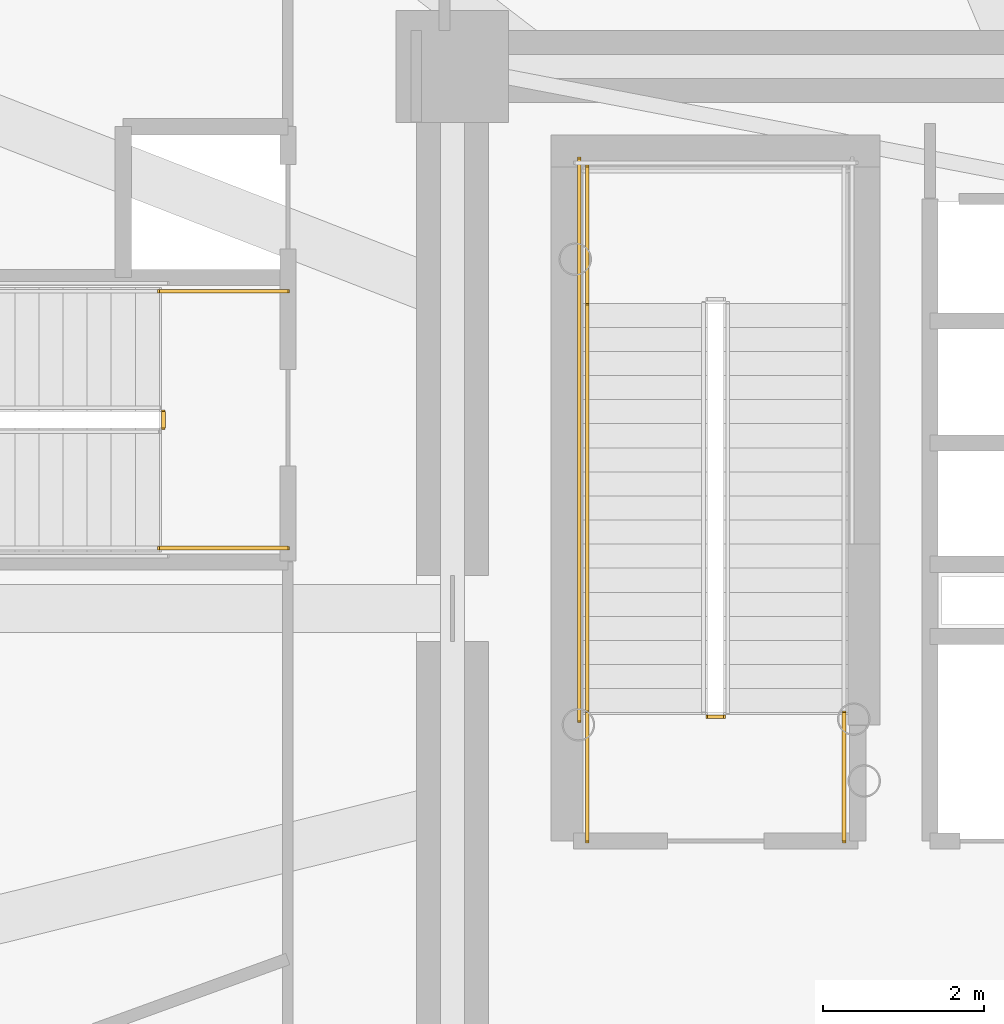
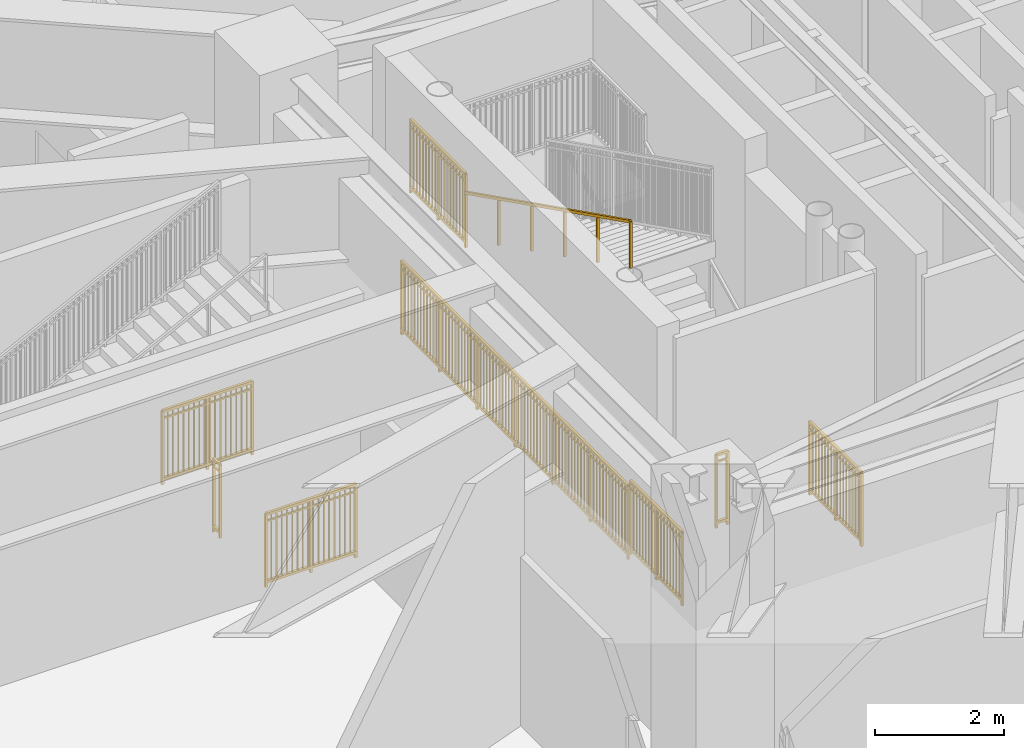
# One storey, part 30 of 39: 9 railings.
"""IFC4 building model written with IfcOpenShell, lengths in metres."""

from ifc_helpers import new_model, si_unit, direction, frame, origin, origin_2d, place, context, subcontext, project, spatial, rectangle, extrude, source, transform, mapped, material, type_object, element, save


model = new_model("IFC4")

# Units and contexts
model_context = context("Model", 3, precision=1e-05, world=origin(), true_north=direction((0.0, 1.0)))
body_context = subcontext(model_context, "Body", "Model", "MODEL_VIEW")
ifc_project = project(units=[si_unit("LENGTHUNIT", "METRE"), si_unit("AREAUNIT", "SQUARE_METRE"), si_unit("VOLUMEUNIT", "CUBIC_METRE"), si_unit("PLANEANGLEUNIT", "RADIAN"), si_unit("MASSUNIT", "GRAM", prefix="KILO")], contexts=[model_context])

# Site, building, storey
site_placement = place(None, origin())
site = spatial("IfcSite", under=ifc_project, at=site_placement, CompositionType="ELEMENT")
building_placement = place(site_placement, origin())
building = spatial("IfcBuilding", under=site, at=building_placement, Name="Linh Dai School and Residence Tower", CompositionType="ELEMENT")
storey_placement = place(building_placement, frame((0.0, 0.0, 27.0)))
storey = spatial("IfcBuildingStorey", under=building, at=storey_placement, Name="L06", CompositionType="ELEMENT", Elevation=27.0)

# Railings
ifc_material_1 = material(Name="Structural Steel S355JR", Category="steel")
railing_type_1 = type_object("IfcRailingType", Name="RL-ST-GUARD-1400", PredefinedType="GUARDRAIL", material=ifc_material_1)
shared_shape_1 = source(origin(), body_context, "Body", "SweptSolid", [
    extrude(rectangle(XDim=0.048095703125, YDim=0.048095703125, at=origin_2d()), frame((0.0, 0.0, 1.3759765625), z_axis=(-1.0, 0.0, 0.0), x_axis=(0.0, -1.0, 0.0)), (0.0, 0.0, 1.0), 0.199951171875),
    extrude(rectangle(XDim=0.048095703125, YDim=0.048095703125, at=origin_2d()), frame((0.0, 0.0, 0.10009765625), z_axis=(-1.0, 0.0, 0.0), x_axis=(0.0, -1.0, 0.0)), (0.0, 0.0, 1.0), 0.199951171875),
    extrude(rectangle(XDim=0.030029296875, YDim=0.030029296875, at=origin_2d()), frame((0.0, 0.0, 1.239990234375), z_axis=(-1.0, 0.0, 0.0), x_axis=(0.0, -1.0, 0.0)), (0.0, 0.0, 1.0), 0.199951171875),
    extrude(rectangle(XDim=0.0419921875, YDim=0.0419921875, at=origin_2d()), origin(), (0.0, 0.0, 1.0), 1.3759765625),
    extrude(rectangle(XDim=0.0419921875, YDim=0.0419921875, at=origin_2d()), frame((-0.199951171875, 0.0, 0.0)), (0.0, 0.0, 1.0), 1.3759765625),
])
railing_1_placement = place(storey_placement, frame((29.429931640625, 25.64990234375, 0.0)))
element("IfcRailing", 1, at=railing_1_placement, inside=storey, type_object=railing_type_1, Name="L06 ST1 stair guard 7", PredefinedType="GUARDRAIL", context=body_context, shape_type="MappedRepresentation", body=[
    mapped(shared_shape_1, transform((0.0, 0.0, 0.0), x_axis=(1.0, 0.0, 0.0), y_axis=(0.0, 1.0, 0.0), z_axis=(0.0, 0.0, 1.0), scale=1.0)),
])
shared_shape_2 = source(origin(), body_context, "Body", "SweptSolid", [
    extrude(rectangle(XDim=0.048095703125, YDim=0.048095703125, at=origin_2d()), frame((0.0, 0.0, 1.3759765625), z_axis=(0.0, 1.0, 0.0), x_axis=(-1.0, 0.0, 0.0)), (0.0, 0.0, 1.0), 1.599853515625),
    extrude(rectangle(XDim=0.048095703125, YDim=0.048095703125, at=origin_2d()), frame((0.0, 0.0, 0.10009765625), z_axis=(0.0, 1.0, 0.0), x_axis=(-1.0, 0.0, 0.0)), (0.0, 0.0, 1.0), 1.599853515625),
    extrude(rectangle(XDim=0.030029296875, YDim=0.030029296875, at=origin_2d()), frame((0.0, 0.0, 1.239990234375), z_axis=(0.0, 1.0, 0.0), x_axis=(-1.0, 0.0, 0.0)), (0.0, 0.0, 1.0), 1.599853515625),
    extrude(rectangle(XDim=0.02001953125, YDim=0.02001953125, at=origin_2d()), frame((0.0, 0.093994140625, 0.10009765625)), (0.0, 0.0, 1.0), 1.251708984375),
    extrude(rectangle(XDim=0.02001953125, YDim=0.02001953125, at=origin_2d()), frame((0.0, 0.188232421875, 0.10009765625)), (0.0, 0.0, 1.0), 1.251708984375),
    extrude(rectangle(XDim=0.02001953125, YDim=0.02001953125, at=origin_2d()), frame((0.0, 0.2822265625, 0.10009765625)), (0.0, 0.0, 1.0), 1.251708984375),
    extrude(rectangle(XDim=0.02001953125, YDim=0.02001953125, at=origin_2d()), frame((0.0, 0.37646484375, 0.10009765625)), (0.0, 0.0, 1.0), 1.251708984375),
    extrude(rectangle(XDim=0.02001953125, YDim=0.02001953125, at=origin_2d()), frame((0.0, 0.470458984375, 0.10009765625)), (0.0, 0.0, 1.0), 1.251708984375),
    extrude(rectangle(XDim=0.02001953125, YDim=0.02001953125, at=origin_2d()), frame((0.0, 0.564697265625, 0.10009765625)), (0.0, 0.0, 1.0), 1.251708984375),
    extrude(rectangle(XDim=0.02001953125, YDim=0.02001953125, at=origin_2d()), frame((0.0, 0.65869140625, 0.10009765625)), (0.0, 0.0, 1.0), 1.251708984375),
    extrude(rectangle(XDim=0.02001953125, YDim=0.02001953125, at=origin_2d()), frame((0.0, 0.7529296875, 0.10009765625)), (0.0, 0.0, 1.0), 1.251708984375),
    extrude(rectangle(XDim=0.02001953125, YDim=0.02001953125, at=origin_2d()), frame((0.0, 0.846923828125, 0.10009765625)), (0.0, 0.0, 1.0), 1.251708984375),
    extrude(rectangle(XDim=0.02001953125, YDim=0.02001953125, at=origin_2d()), frame((0.0, 0.941162109375, 0.10009765625)), (0.0, 0.0, 1.0), 1.251708984375),
    extrude(rectangle(XDim=0.02001953125, YDim=0.02001953125, at=origin_2d()), frame((0.0, 1.03515625, 0.10009765625)), (0.0, 0.0, 1.0), 1.251708984375),
    extrude(rectangle(XDim=0.02001953125, YDim=0.02001953125, at=origin_2d()), frame((0.0, 1.12939453125, 0.10009765625)), (0.0, 0.0, 1.0), 1.251708984375),
    extrude(rectangle(XDim=0.02001953125, YDim=0.02001953125, at=origin_2d()), frame((0.0, 1.223388671875, 0.10009765625)), (0.0, 0.0, 1.0), 1.251708984375),
    extrude(rectangle(XDim=0.02001953125, YDim=0.02001953125, at=origin_2d()), frame((0.0, 1.317626953125, 0.10009765625)), (0.0, 0.0, 1.0), 1.251708984375),
    extrude(rectangle(XDim=0.02001953125, YDim=0.02001953125, at=origin_2d()), frame((0.0, 1.41162109375, 0.10009765625)), (0.0, 0.0, 1.0), 1.251708984375),
    extrude(rectangle(XDim=0.02001953125, YDim=0.02001953125, at=origin_2d()), frame((0.0, 1.505859375, 0.10009765625)), (0.0, 0.0, 1.0), 1.251708984375),
    extrude(rectangle(XDim=0.0419921875, YDim=0.0419921875, at=origin_2d()), origin(), (0.0, 0.0, 1.0), 1.3759765625),
    extrude(rectangle(XDim=0.0419921875, YDim=0.0419921875, at=origin_2d()), frame((0.0, 0.7998046875, 0.0)), (0.0, 0.0, 1.0), 1.3759765625),
    extrude(rectangle(XDim=0.0419921875, YDim=0.0419921875, at=origin_2d()), frame((0.0, 1.599853515625, 0.0)), (0.0, 0.0, 1.0), 1.3759765625),
])
for number, where, name in (
    (2, (30.929931640625, 24.10009765625, 0.0), "L06 ST1 stair guard 8"),
    (3, (27.72998046875, 24.10009765625, 0.0), "L06 ST1 stair guard 9"),
):
    element("IfcRailing", number, at=place(storey_placement, frame(where)), inside=storey, type_object=railing_type_1, Name=name, PredefinedType="GUARDRAIL", context=body_context, shape_type="MappedRepresentation", body=[
        mapped(shared_shape_2, transform((0.0, 0.0, 0.0), x_axis=(1.0, 0.0, 0.0), y_axis=(0.0, 1.0, 0.0), z_axis=(0.0, 0.0, 1.0), scale=1.0)),
    ])
shared_shape_3 = source(origin(), body_context, "Body", "SweptSolid", [
    extrude(rectangle(XDim=0.048095703125, YDim=0.048095703125, at=origin_2d()), frame((0.0, 0.0, 1.3759765625), z_axis=(0.0, 1.0, 0.0), x_axis=(-1.0, 0.0, 0.0)), (0.0, 0.0, 1.0), 7.0),
    extrude(rectangle(XDim=0.048095703125, YDim=0.048095703125, at=origin_2d()), frame((0.0, 0.0, 0.10009765625), z_axis=(0.0, 1.0, 0.0), x_axis=(-1.0, 0.0, 0.0)), (0.0, 0.0, 1.0), 7.0),
    extrude(rectangle(XDim=0.030029296875, YDim=0.030029296875, at=origin_2d()), frame((0.0, 0.0, 1.239990234375), z_axis=(0.0, 1.0, 0.0), x_axis=(-1.0, 0.0, 0.0)), (0.0, 0.0, 1.0), 7.0),
    extrude(rectangle(XDim=0.02001953125, YDim=0.02001953125, at=origin_2d()), frame((0.0, 0.09716796875, 0.10009765625)), (0.0, 0.0, 1.0), 1.251708984375),
    extrude(rectangle(XDim=0.02001953125, YDim=0.02001953125, at=origin_2d()), frame((0.0, 0.1943359375, 0.10009765625)), (0.0, 0.0, 1.0), 1.251708984375),
    extrude(rectangle(XDim=0.02001953125, YDim=0.02001953125, at=origin_2d()), frame((0.0, 0.291748046875, 0.10009765625)), (0.0, 0.0, 1.0), 1.251708984375),
    extrude(rectangle(XDim=0.02001953125, YDim=0.02001953125, at=origin_2d()), frame((0.0, 0.388916015625, 0.10009765625)), (0.0, 0.0, 1.0), 1.251708984375),
    extrude(rectangle(XDim=0.02001953125, YDim=0.02001953125, at=origin_2d()), frame((0.0, 0.486083984375, 0.10009765625)), (0.0, 0.0, 1.0), 1.251708984375),
    extrude(rectangle(XDim=0.02001953125, YDim=0.02001953125, at=origin_2d()), frame((0.0, 0.583251953125, 0.10009765625)), (0.0, 0.0, 1.0), 1.251708984375),
    extrude(rectangle(XDim=0.02001953125, YDim=0.02001953125, at=origin_2d()), frame((0.0, 0.6806640625, 0.10009765625)), (0.0, 0.0, 1.0), 1.251708984375),
    extrude(rectangle(XDim=0.02001953125, YDim=0.02001953125, at=origin_2d()), frame((0.0, 0.77783203125, 0.10009765625)), (0.0, 0.0, 1.0), 1.251708984375),
    extrude(rectangle(XDim=0.02001953125, YDim=0.02001953125, at=origin_2d()), frame((0.0, 0.875, 0.10009765625)), (0.0, 0.0, 1.0), 1.251708984375),
    extrude(rectangle(XDim=0.02001953125, YDim=0.02001953125, at=origin_2d()), frame((0.0, 0.97216796875, 0.10009765625)), (0.0, 0.0, 1.0), 1.251708984375),
    extrude(rectangle(XDim=0.02001953125, YDim=0.02001953125, at=origin_2d()), frame((0.0, 1.0693359375, 0.10009765625)), (0.0, 0.0, 1.0), 1.251708984375),
    extrude(rectangle(XDim=0.02001953125, YDim=0.02001953125, at=origin_2d()), frame((0.0, 1.263916015625, 0.10009765625)), (0.0, 0.0, 1.0), 1.251708984375),
    extrude(rectangle(XDim=0.02001953125, YDim=0.02001953125, at=origin_2d()), frame((0.0, 1.361083984375, 0.10009765625)), (0.0, 0.0, 1.0), 1.251708984375),
    extrude(rectangle(XDim=0.02001953125, YDim=0.02001953125, at=origin_2d()), frame((0.0, 1.458251953125, 0.10009765625)), (0.0, 0.0, 1.0), 1.251708984375),
    extrude(rectangle(XDim=0.02001953125, YDim=0.02001953125, at=origin_2d()), frame((0.0, 1.5556640625, 0.10009765625)), (0.0, 0.0, 1.0), 1.251708984375),
    extrude(rectangle(XDim=0.02001953125, YDim=0.02001953125, at=origin_2d()), frame((0.0, 1.65283203125, 0.10009765625)), (0.0, 0.0, 1.0), 1.251708984375),
    extrude(rectangle(XDim=0.02001953125, YDim=0.02001953125, at=origin_2d()), frame((0.0, 1.75, 0.10009765625)), (0.0, 0.0, 1.0), 1.251708984375),
    extrude(rectangle(XDim=0.02001953125, YDim=0.02001953125, at=origin_2d()), frame((0.0, 1.84716796875, 0.10009765625)), (0.0, 0.0, 1.0), 1.251708984375),
    extrude(rectangle(XDim=0.02001953125, YDim=0.02001953125, at=origin_2d()), frame((0.0, 1.9443359375, 0.10009765625)), (0.0, 0.0, 1.0), 1.251708984375),
    extrude(rectangle(XDim=0.02001953125, YDim=0.02001953125, at=origin_2d()), frame((0.0, 2.041748046875, 0.10009765625)), (0.0, 0.0, 1.0), 1.251708984375),
    extrude(rectangle(XDim=0.02001953125, YDim=0.02001953125, at=origin_2d()), frame((0.0, 2.138916015625, 0.10009765625)), (0.0, 0.0, 1.0), 1.251708984375),
    extrude(rectangle(XDim=0.02001953125, YDim=0.02001953125, at=origin_2d()), frame((0.0, 2.236083984375, 0.10009765625)), (0.0, 0.0, 1.0), 1.251708984375),
    extrude(rectangle(XDim=0.02001953125, YDim=0.02001953125, at=origin_2d()), frame((0.0, 2.4306640625, 0.10009765625)), (0.0, 0.0, 1.0), 1.251708984375),
    extrude(rectangle(XDim=0.02001953125, YDim=0.02001953125, at=origin_2d()), frame((0.0, 2.52783203125, 0.10009765625)), (0.0, 0.0, 1.0), 1.251708984375),
    extrude(rectangle(XDim=0.02001953125, YDim=0.02001953125, at=origin_2d()), frame((0.0, 2.625, 0.10009765625)), (0.0, 0.0, 1.0), 1.251708984375),
    extrude(rectangle(XDim=0.02001953125, YDim=0.02001953125, at=origin_2d()), frame((0.0, 2.72216796875, 0.10009765625)), (0.0, 0.0, 1.0), 1.251708984375),
    extrude(rectangle(XDim=0.02001953125, YDim=0.02001953125, at=origin_2d()), frame((0.0, 2.8193359375, 0.10009765625)), (0.0, 0.0, 1.0), 1.251708984375),
    extrude(rectangle(XDim=0.02001953125, YDim=0.02001953125, at=origin_2d()), frame((0.0, 2.916748046875, 0.10009765625)), (0.0, 0.0, 1.0), 1.251708984375),
    extrude(rectangle(XDim=0.02001953125, YDim=0.02001953125, at=origin_2d()), frame((0.0, 3.013916015625, 0.10009765625)), (0.0, 0.0, 1.0), 1.251708984375),
    extrude(rectangle(XDim=0.02001953125, YDim=0.02001953125, at=origin_2d()), frame((0.0, 3.111083984375, 0.10009765625)), (0.0, 0.0, 1.0), 1.251708984375),
    extrude(rectangle(XDim=0.02001953125, YDim=0.02001953125, at=origin_2d()), frame((0.0, 3.208251953125, 0.10009765625)), (0.0, 0.0, 1.0), 1.251708984375),
    extrude(rectangle(XDim=0.02001953125, YDim=0.02001953125, at=origin_2d()), frame((0.0, 3.3056640625, 0.10009765625)), (0.0, 0.0, 1.0), 1.251708984375),
    extrude(rectangle(XDim=0.02001953125, YDim=0.02001953125, at=origin_2d()), frame((0.0, 3.40283203125, 0.10009765625)), (0.0, 0.0, 1.0), 1.251708984375),
    extrude(rectangle(XDim=0.02001953125, YDim=0.02001953125, at=origin_2d()), frame((0.0, 3.59716796875, 0.10009765625)), (0.0, 0.0, 1.0), 1.251708984375),
    extrude(rectangle(XDim=0.02001953125, YDim=0.02001953125, at=origin_2d()), frame((0.0, 3.6943359375, 0.10009765625)), (0.0, 0.0, 1.0), 1.251708984375),
    extrude(rectangle(XDim=0.02001953125, YDim=0.02001953125, at=origin_2d()), frame((0.0, 3.791748046875, 0.10009765625)), (0.0, 0.0, 1.0), 1.251708984375),
    extrude(rectangle(XDim=0.02001953125, YDim=0.02001953125, at=origin_2d()), frame((0.0, 3.888916015625, 0.10009765625)), (0.0, 0.0, 1.0), 1.251708984375),
    extrude(rectangle(XDim=0.02001953125, YDim=0.02001953125, at=origin_2d()), frame((0.0, 3.986083984375, 0.10009765625)), (0.0, 0.0, 1.0), 1.251708984375),
    extrude(rectangle(XDim=0.02001953125, YDim=0.02001953125, at=origin_2d()), frame((0.0, 4.083251953125, 0.10009765625)), (0.0, 0.0, 1.0), 1.251708984375),
    extrude(rectangle(XDim=0.02001953125, YDim=0.02001953125, at=origin_2d()), frame((0.0, 4.1806640625, 0.10009765625)), (0.0, 0.0, 1.0), 1.251708984375),
    extrude(rectangle(XDim=0.02001953125, YDim=0.02001953125, at=origin_2d()), frame((0.0, 4.27783203125, 0.10009765625)), (0.0, 0.0, 1.0), 1.251708984375),
    extrude(rectangle(XDim=0.02001953125, YDim=0.02001953125, at=origin_2d()), frame((0.0, 4.375, 0.10009765625)), (0.0, 0.0, 1.0), 1.251708984375),
    extrude(rectangle(XDim=0.02001953125, YDim=0.02001953125, at=origin_2d()), frame((0.0, 4.47216796875, 0.10009765625)), (0.0, 0.0, 1.0), 1.251708984375),
    extrude(rectangle(XDim=0.02001953125, YDim=0.02001953125, at=origin_2d()), frame((0.0, 4.5693359375, 0.10009765625)), (0.0, 0.0, 1.0), 1.251708984375),
    extrude(rectangle(XDim=0.02001953125, YDim=0.02001953125, at=origin_2d()), frame((0.0, 4.763916015625, 0.10009765625)), (0.0, 0.0, 1.0), 1.251708984375),
    extrude(rectangle(XDim=0.02001953125, YDim=0.02001953125, at=origin_2d()), frame((0.0, 4.861083984375, 0.10009765625)), (0.0, 0.0, 1.0), 1.251708984375),
    extrude(rectangle(XDim=0.02001953125, YDim=0.02001953125, at=origin_2d()), frame((0.0, 4.958251953125, 0.10009765625)), (0.0, 0.0, 1.0), 1.251708984375),
    extrude(rectangle(XDim=0.02001953125, YDim=0.02001953125, at=origin_2d()), frame((0.0, 5.0556640625, 0.10009765625)), (0.0, 0.0, 1.0), 1.251708984375),
    extrude(rectangle(XDim=0.02001953125, YDim=0.02001953125, at=origin_2d()), frame((0.0, 5.15283203125, 0.10009765625)), (0.0, 0.0, 1.0), 1.251708984375),
    extrude(rectangle(XDim=0.02001953125, YDim=0.02001953125, at=origin_2d()), frame((0.0, 5.25, 0.10009765625)), (0.0, 0.0, 1.0), 1.251708984375),
    extrude(rectangle(XDim=0.02001953125, YDim=0.02001953125, at=origin_2d()), frame((0.0, 5.34716796875, 0.10009765625)), (0.0, 0.0, 1.0), 1.251708984375),
    extrude(rectangle(XDim=0.02001953125, YDim=0.02001953125, at=origin_2d()), frame((0.0, 5.4443359375, 0.10009765625)), (0.0, 0.0, 1.0), 1.251708984375),
    extrude(rectangle(XDim=0.02001953125, YDim=0.02001953125, at=origin_2d()), frame((0.0, 5.541748046875, 0.10009765625)), (0.0, 0.0, 1.0), 1.251708984375),
    extrude(rectangle(XDim=0.02001953125, YDim=0.02001953125, at=origin_2d()), frame((0.0, 5.638916015625, 0.10009765625)), (0.0, 0.0, 1.0), 1.251708984375),
    extrude(rectangle(XDim=0.02001953125, YDim=0.02001953125, at=origin_2d()), frame((0.0, 5.736083984375, 0.10009765625)), (0.0, 0.0, 1.0), 1.251708984375),
    extrude(rectangle(XDim=0.02001953125, YDim=0.02001953125, at=origin_2d()), frame((0.0, 5.9306640625, 0.10009765625)), (0.0, 0.0, 1.0), 1.251708984375),
    extrude(rectangle(XDim=0.02001953125, YDim=0.02001953125, at=origin_2d()), frame((0.0, 6.02783203125, 0.10009765625)), (0.0, 0.0, 1.0), 1.251708984375),
    extrude(rectangle(XDim=0.02001953125, YDim=0.02001953125, at=origin_2d()), frame((0.0, 6.125, 0.10009765625)), (0.0, 0.0, 1.0), 1.251708984375),
    extrude(rectangle(XDim=0.02001953125, YDim=0.02001953125, at=origin_2d()), frame((0.0, 6.22216796875, 0.10009765625)), (0.0, 0.0, 1.0), 1.251708984375),
    extrude(rectangle(XDim=0.02001953125, YDim=0.02001953125, at=origin_2d()), frame((0.0, 6.3193359375, 0.10009765625)), (0.0, 0.0, 1.0), 1.251708984375),
    extrude(rectangle(XDim=0.02001953125, YDim=0.02001953125, at=origin_2d()), frame((0.0, 6.416748046875, 0.10009765625)), (0.0, 0.0, 1.0), 1.251708984375),
    extrude(rectangle(XDim=0.02001953125, YDim=0.02001953125, at=origin_2d()), frame((0.0, 6.513916015625, 0.10009765625)), (0.0, 0.0, 1.0), 1.251708984375),
    extrude(rectangle(XDim=0.02001953125, YDim=0.02001953125, at=origin_2d()), frame((0.0, 6.611083984375, 0.10009765625)), (0.0, 0.0, 1.0), 1.251708984375),
    extrude(rectangle(XDim=0.02001953125, YDim=0.02001953125, at=origin_2d()), frame((0.0, 6.708251953125, 0.10009765625)), (0.0, 0.0, 1.0), 1.251708984375),
    extrude(rectangle(XDim=0.02001953125, YDim=0.02001953125, at=origin_2d()), frame((0.0, 6.8056640625, 0.10009765625)), (0.0, 0.0, 1.0), 1.251708984375),
    extrude(rectangle(XDim=0.02001953125, YDim=0.02001953125, at=origin_2d()), frame((0.0, 6.90283203125, 0.10009765625)), (0.0, 0.0, 1.0), 1.251708984375),
    extrude(rectangle(XDim=0.0419921875, YDim=0.0419921875, at=origin_2d()), origin(), (0.0, 0.0, 1.0), 1.3759765625),
    extrude(rectangle(XDim=0.0419921875, YDim=0.0419921875, at=origin_2d()), frame((0.0, 1.166748046875, 0.0)), (0.0, 0.0, 1.0), 1.3759765625),
    extrude(rectangle(XDim=0.0419921875, YDim=0.0419921875, at=origin_2d()), frame((0.0, 2.333251953125, 0.0)), (0.0, 0.0, 1.0), 1.3759765625),
    extrude(rectangle(XDim=0.0419921875, YDim=0.0419921875, at=origin_2d()), frame((0.0, 3.5, 0.0)), (0.0, 0.0, 1.0), 1.3759765625),
    extrude(rectangle(XDim=0.0419921875, YDim=0.0419921875, at=origin_2d()), frame((0.0, 4.666748046875, 0.0)), (0.0, 0.0, 1.0), 1.3759765625),
    extrude(rectangle(XDim=0.0419921875, YDim=0.0419921875, at=origin_2d()), frame((0.0, 5.833251953125, 0.0)), (0.0, 0.0, 1.0), 1.3759765625),
    extrude(rectangle(XDim=0.0419921875, YDim=0.0419921875, at=origin_2d()), frame((0.0, 7.0, 0.0)), (0.0, 0.0, 1.0), 1.3759765625),
])
railing_2_placement = place(storey_placement, frame((27.6298828125, 25.60009765625, 0.0)))
element("IfcRailing", 4, at=railing_2_placement, inside=storey, type_object=railing_type_1, Name="L06 ST1 stair guard 11", PredefinedType="GUARDRAIL", context=body_context, shape_type="MappedRepresentation", body=[
    mapped(shared_shape_3, transform((0.0, 0.0, 0.0), x_axis=(1.0, 0.0, 0.0), y_axis=(0.0, 1.0, 0.0), z_axis=(0.0, 0.0, 1.0), scale=1.0)),
])
shared_shape_4 = source(origin(), body_context, "Body", "SweptSolid", [
    extrude(rectangle(XDim=0.048095703125, YDim=0.048095703125, at=origin_2d()), frame((0.0, 0.0, 1.3759765625), z_axis=(0.0, 1.0, 0.0), x_axis=(-1.0, 0.0, 0.0)), (0.0, 0.0, 1.0), 1.699951171875),
    extrude(rectangle(XDim=0.048095703125, YDim=0.048095703125, at=origin_2d()), frame((0.0, 0.0, 0.10009765625), z_axis=(0.0, 1.0, 0.0), x_axis=(-1.0, 0.0, 0.0)), (0.0, 0.0, 1.0), 1.699951171875),
    extrude(rectangle(XDim=0.030029296875, YDim=0.030029296875, at=origin_2d()), frame((0.0, 0.0, 1.239990234375), z_axis=(0.0, 1.0, 0.0), x_axis=(-1.0, 0.0, 0.0)), (0.0, 0.0, 1.0), 1.699951171875),
    extrude(rectangle(XDim=0.02001953125, YDim=0.02001953125, at=origin_2d()), frame((0.0, 0.094482421875, 0.10009765625)), (0.0, 0.0, 1.0), 1.251708984375),
    extrude(rectangle(XDim=0.02001953125, YDim=0.02001953125, at=origin_2d()), frame((0.0, 0.18896484375, 0.10009765625)), (0.0, 0.0, 1.0), 1.251708984375),
    extrude(rectangle(XDim=0.02001953125, YDim=0.02001953125, at=origin_2d()), frame((0.0, 0.283203125, 0.10009765625)), (0.0, 0.0, 1.0), 1.251708984375),
    extrude(rectangle(XDim=0.02001953125, YDim=0.02001953125, at=origin_2d()), frame((0.0, 0.377685546875, 0.10009765625)), (0.0, 0.0, 1.0), 1.251708984375),
    extrude(rectangle(XDim=0.02001953125, YDim=0.02001953125, at=origin_2d()), frame((0.0, 0.47216796875, 0.10009765625)), (0.0, 0.0, 1.0), 1.251708984375),
    extrude(rectangle(XDim=0.02001953125, YDim=0.02001953125, at=origin_2d()), frame((0.0, 0.566650390625, 0.10009765625)), (0.0, 0.0, 1.0), 1.251708984375),
    extrude(rectangle(XDim=0.02001953125, YDim=0.02001953125, at=origin_2d()), frame((0.0, 0.6611328125, 0.10009765625)), (0.0, 0.0, 1.0), 1.251708984375),
    extrude(rectangle(XDim=0.02001953125, YDim=0.02001953125, at=origin_2d()), frame((0.0, 0.755615234375, 0.10009765625)), (0.0, 0.0, 1.0), 1.251708984375),
    extrude(rectangle(XDim=0.02001953125, YDim=0.02001953125, at=origin_2d()), frame((0.0, 0.9443359375, 0.10009765625)), (0.0, 0.0, 1.0), 1.251708984375),
    extrude(rectangle(XDim=0.02001953125, YDim=0.02001953125, at=origin_2d()), frame((0.0, 1.038818359375, 0.10009765625)), (0.0, 0.0, 1.0), 1.251708984375),
    extrude(rectangle(XDim=0.02001953125, YDim=0.02001953125, at=origin_2d()), frame((0.0, 1.13330078125, 0.10009765625)), (0.0, 0.0, 1.0), 1.251708984375),
    extrude(rectangle(XDim=0.02001953125, YDim=0.02001953125, at=origin_2d()), frame((0.0, 1.227783203125, 0.10009765625)), (0.0, 0.0, 1.0), 1.251708984375),
    extrude(rectangle(XDim=0.02001953125, YDim=0.02001953125, at=origin_2d()), frame((0.0, 1.322265625, 0.10009765625)), (0.0, 0.0, 1.0), 1.251708984375),
    extrude(rectangle(XDim=0.02001953125, YDim=0.02001953125, at=origin_2d()), frame((0.0, 1.41650390625, 0.10009765625)), (0.0, 0.0, 1.0), 1.251708984375),
    extrude(rectangle(XDim=0.02001953125, YDim=0.02001953125, at=origin_2d()), frame((0.0, 1.510986328125, 0.10009765625)), (0.0, 0.0, 1.0), 1.251708984375),
    extrude(rectangle(XDim=0.02001953125, YDim=0.02001953125, at=origin_2d()), frame((0.0, 1.60546875, 0.10009765625)), (0.0, 0.0, 1.0), 1.251708984375),
    extrude(rectangle(XDim=0.0419921875, YDim=0.0419921875, at=origin_2d()), origin(), (0.0, 0.0, 1.0), 1.3759765625),
    extrude(rectangle(XDim=0.0419921875, YDim=0.0419921875, at=origin_2d()), frame((0.0, 0.85009765625, 0.0)), (0.0, 0.0, 1.0), 1.3759765625),
    extrude(rectangle(XDim=0.0419921875, YDim=0.0419921875, at=origin_2d()), frame((0.0, 1.699951171875, 0.0)), (0.0, 0.0, 1.0), 1.3759765625),
])
railing_3_placement = place(storey_placement, frame((27.72998046875, 30.800048828125, 2.699951171875)))
element("IfcRailing", 5, at=railing_3_placement, inside=storey, type_object=railing_type_1, Name="L06 ST1 stair guard 4", PredefinedType="GUARDRAIL", context=body_context, shape_type="MappedRepresentation", body=[
    mapped(shared_shape_4, transform((0.0, 0.0, 0.0), x_axis=(1.0, 0.0, 0.0), y_axis=(0.0, 1.0, 0.0), z_axis=(0.0, 0.0, 1.0), scale=1.0)),
])
ifc_material_2 = material(Name="Brushed Stainless Steel Handrail", Category="steel")
railing_type_2 = type_object("IfcRailingType", Name="RL-ST-HANDRAIL-900", PredefinedType="HANDRAIL", material=ifc_material_2)
shared_shape_5 = source(origin(), body_context, "Body", "SweptSolid", [
    extrude(rectangle(XDim=0.048095703125, YDim=0.048095703125, at=origin_2d()), frame((0.0, 0.0, 0.8759765625), z_axis=(0.0, -0.89444431709, 0.44717934168), x_axis=(1.0, 0.0, 0.0)), (0.0, 0.0, 1.0), 5.701904296875),
    extrude(rectangle(XDim=0.0419921875, YDim=0.0419921875, at=origin_2d()), origin(), (0.0, 0.0, 1.0), 0.8759765625),
    extrude(rectangle(XDim=0.0419921875, YDim=0.0419921875, at=origin_2d()), frame((0.0, -1.02001953125, 0.510009765625)), (0.0, 0.0, 1.0), 0.8759765625),
    extrude(rectangle(XDim=0.0419921875, YDim=0.0419921875, at=origin_2d()), frame((0.0, -2.0400390625, 1.02001953125)), (0.0, 0.0, 1.0), 0.8759765625),
    extrude(rectangle(XDim=0.0419921875, YDim=0.0419921875, at=origin_2d()), frame((0.0, -3.06005859375, 1.52978515625)), (0.0, 0.0, 1.0), 0.8759765625),
    extrude(rectangle(XDim=0.0419921875, YDim=0.0419921875, at=origin_2d()), frame((0.0, -4.080078125, 2.039794921875)), (0.0, 0.0, 1.0), 0.8759765625),
    extrude(rectangle(XDim=0.0419921875, YDim=0.0419921875, at=origin_2d()), frame((0.0, -5.10009765625, 2.5498046875)), (0.0, 0.0, 1.0), 0.8759765625),
])
railing_4_placement = place(storey_placement, frame((27.72998046875, 30.800048828125, 2.85009765625)))
element("IfcRailing", 6, at=railing_4_placement, inside=storey, type_object=railing_type_2, Name="L06 ST1 stair handrail 2", PredefinedType="HANDRAIL", context=body_context, shape_type="MappedRepresentation", body=[
    mapped(shared_shape_5, transform((0.0, 0.0, 0.0), x_axis=(1.0, 0.0, 0.0), y_axis=(0.0, 1.0, 0.0), z_axis=(0.0, 0.0, 1.0), scale=1.0)),
])
shared_shape_6 = source(origin(), body_context, "Body", "SweptSolid", [
    extrude(rectangle(XDim=0.048095703125, YDim=0.048095703125, at=origin_2d()), frame((0.0, 0.0, 1.3759765625), z_axis=(0.0, -1.0, 0.0), x_axis=(1.0, 0.0, 0.0)), (0.0, 0.0, 1.0), 0.199951171875),
    extrude(rectangle(XDim=0.048095703125, YDim=0.048095703125, at=origin_2d()), frame((0.0, 0.0, 0.10009765625), z_axis=(0.0, -1.0, 0.0), x_axis=(1.0, 0.0, 0.0)), (0.0, 0.0, 1.0), 0.199951171875),
    extrude(rectangle(XDim=0.030029296875, YDim=0.030029296875, at=origin_2d()), frame((0.0, 0.0, 1.239990234375), z_axis=(0.0, -1.0, 0.0), x_axis=(1.0, 0.0, 0.0)), (0.0, 0.0, 1.0), 0.199951171875),
    extrude(rectangle(XDim=0.0419921875, YDim=0.0419921875, at=origin_2d()), origin(), (0.0, 0.0, 1.0), 1.3759765625),
    extrude(rectangle(XDim=0.0419921875, YDim=0.0419921875, at=origin_2d()), frame((0.0, -0.199951171875, 0.0)), (0.0, 0.0, 1.0), 1.3759765625),
])
railing_5_placement = place(storey_placement, frame((22.449951171875, 29.449951171875, 0.0)))
element("IfcRailing", 7, at=railing_5_placement, inside=storey, type_object=railing_type_1, Name="L06 STS1 stair guard 7", PredefinedType="GUARDRAIL", context=body_context, shape_type="MappedRepresentation", body=[
    mapped(shared_shape_6, transform((0.0, 0.0, 0.0), x_axis=(1.0, 0.0, 0.0), y_axis=(0.0, 1.0, 0.0), z_axis=(0.0, 0.0, 1.0), scale=1.0)),
])
shared_shape_7 = source(origin(), body_context, "Body", "SweptSolid", [
    extrude(rectangle(XDim=0.048095703125, YDim=0.048095703125, at=origin_2d()), frame((0.0, 0.0, 1.3759765625), z_axis=(-1.0, 0.0, 0.0), x_axis=(0.0, -1.0, 0.0)), (0.0, 0.0, 1.0), 1.60009765625),
    extrude(rectangle(XDim=0.048095703125, YDim=0.048095703125, at=origin_2d()), frame((0.0, 0.0, 0.10009765625), z_axis=(-1.0, 0.0, 0.0), x_axis=(0.0, -1.0, 0.0)), (0.0, 0.0, 1.0), 1.60009765625),
    extrude(rectangle(XDim=0.030029296875, YDim=0.030029296875, at=origin_2d()), frame((0.0, 0.0, 1.239990234375), z_axis=(-1.0, 0.0, 0.0), x_axis=(0.0, -1.0, 0.0)), (0.0, 0.0, 1.0), 1.60009765625),
    extrude(rectangle(XDim=0.02001953125, YDim=0.02001953125, at=origin_2d()), frame((-0.09423828125, 0.0, 0.10009765625)), (0.0, 0.0, 1.0), 1.251708984375),
    extrude(rectangle(XDim=0.02001953125, YDim=0.02001953125, at=origin_2d()), frame((-0.188232421875, 0.0, 0.10009765625)), (0.0, 0.0, 1.0), 1.251708984375),
    extrude(rectangle(XDim=0.02001953125, YDim=0.02001953125, at=origin_2d()), frame((-0.282470703125, 0.0, 0.10009765625)), (0.0, 0.0, 1.0), 1.251708984375),
    extrude(rectangle(XDim=0.02001953125, YDim=0.02001953125, at=origin_2d()), frame((-0.37646484375, 0.0, 0.10009765625)), (0.0, 0.0, 1.0), 1.251708984375),
    extrude(rectangle(XDim=0.02001953125, YDim=0.02001953125, at=origin_2d()), frame((-0.470703125, 0.0, 0.10009765625)), (0.0, 0.0, 1.0), 1.251708984375),
    extrude(rectangle(XDim=0.02001953125, YDim=0.02001953125, at=origin_2d()), frame((-0.564697265625, 0.0, 0.10009765625)), (0.0, 0.0, 1.0), 1.251708984375),
    extrude(rectangle(XDim=0.02001953125, YDim=0.02001953125, at=origin_2d()), frame((-0.658935546875, 0.0, 0.10009765625)), (0.0, 0.0, 1.0), 1.251708984375),
    extrude(rectangle(XDim=0.02001953125, YDim=0.02001953125, at=origin_2d()), frame((-0.7529296875, 0.0, 0.10009765625)), (0.0, 0.0, 1.0), 1.251708984375),
    extrude(rectangle(XDim=0.02001953125, YDim=0.02001953125, at=origin_2d()), frame((-0.84716796875, 0.0, 0.10009765625)), (0.0, 0.0, 1.0), 1.251708984375),
    extrude(rectangle(XDim=0.02001953125, YDim=0.02001953125, at=origin_2d()), frame((-0.941162109375, 0.0, 0.10009765625)), (0.0, 0.0, 1.0), 1.251708984375),
    extrude(rectangle(XDim=0.02001953125, YDim=0.02001953125, at=origin_2d()), frame((-1.035400390625, 0.0, 0.10009765625)), (0.0, 0.0, 1.0), 1.251708984375),
    extrude(rectangle(XDim=0.02001953125, YDim=0.02001953125, at=origin_2d()), frame((-1.12939453125, 0.0, 0.10009765625)), (0.0, 0.0, 1.0), 1.251708984375),
    extrude(rectangle(XDim=0.02001953125, YDim=0.02001953125, at=origin_2d()), frame((-1.2236328125, 0.0, 0.10009765625)), (0.0, 0.0, 1.0), 1.251708984375),
    extrude(rectangle(XDim=0.02001953125, YDim=0.02001953125, at=origin_2d()), frame((-1.317626953125, 0.0, 0.10009765625)), (0.0, 0.0, 1.0), 1.251708984375),
    extrude(rectangle(XDim=0.02001953125, YDim=0.02001953125, at=origin_2d()), frame((-1.411865234375, 0.0, 0.10009765625)), (0.0, 0.0, 1.0), 1.251708984375),
    extrude(rectangle(XDim=0.02001953125, YDim=0.02001953125, at=origin_2d()), frame((-1.505859375, 0.0, 0.10009765625)), (0.0, 0.0, 1.0), 1.251708984375),
    extrude(rectangle(XDim=0.0419921875, YDim=0.0419921875, at=origin_2d()), origin(), (0.0, 0.0, 1.0), 1.3759765625),
    extrude(rectangle(XDim=0.0419921875, YDim=0.0419921875, at=origin_2d()), frame((-0.800048828125, 0.0, 0.0)), (0.0, 0.0, 1.0), 1.3759765625),
    extrude(rectangle(XDim=0.0419921875, YDim=0.0419921875, at=origin_2d()), frame((-1.60009765625, 0.0, 0.0)), (0.0, 0.0, 1.0), 1.3759765625),
])
for number, where, name in (
    (8, (24.0, 30.949951171875, 0.0), "L06 STS1 stair guard 8"),
    (9, (24.0, 27.75, 0.0), "L06 STS1 stair guard 9"),
):
    element("IfcRailing", number, at=place(storey_placement, frame(where)), inside=storey, type_object=railing_type_1, Name=name, PredefinedType="GUARDRAIL", context=body_context, shape_type="MappedRepresentation", body=[
        mapped(shared_shape_7, transform((0.0, 0.0, 0.0), x_axis=(1.0, 0.0, 0.0), y_axis=(0.0, 1.0, 0.0), z_axis=(0.0, 0.0, 1.0), scale=1.0)),
    ])

save(model, "model.ifc")
